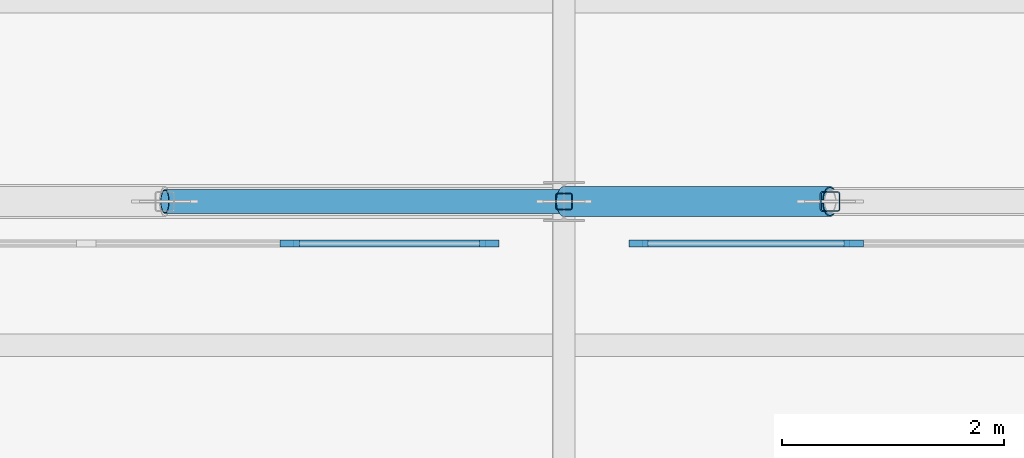
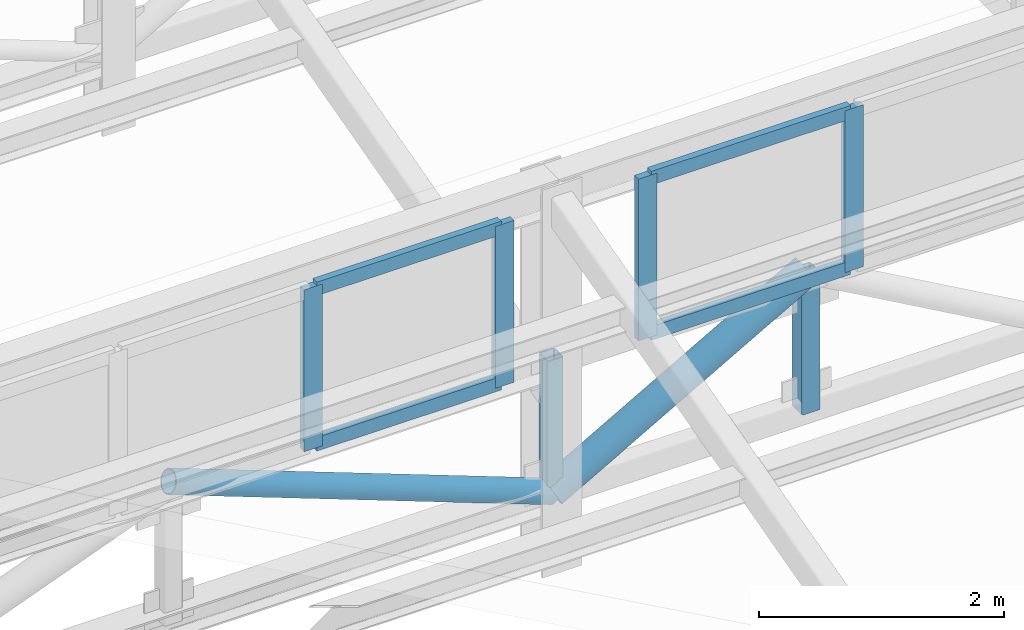
# One storey, part 12 of 98: 12 members, 2 elements without a shape of their own.
"""IFC4 building model written with IfcOpenShell, lengths in metres."""

from ifc_helpers import new_model, si_unit, direction, frame, origin, origin_2d, place, context, subcontext, project, spatial, rectangle, hollow_rectangle, hollow_circle, extrude, material, layer, layer_set, material_profile, profile_set, type_object, element, aggregate, save


model = new_model("IFC4")

# Units and contexts
model_context = context("Model", 3, precision=1e-05, world=origin(), true_north=direction((0.0, 1.0)))
body_context = subcontext(model_context, "Body", "Model", "MODEL_VIEW")
ifc_project = project(units=[si_unit("LENGTHUNIT", "METRE"), si_unit("AREAUNIT", "SQUARE_METRE"), si_unit("VOLUMEUNIT", "CUBIC_METRE"), si_unit("PLANEANGLEUNIT", "RADIAN"), si_unit("MASSUNIT", "GRAM", prefix="KILO")], contexts=[model_context])

# Site, building, storey
site_placement = place(None, origin())
site = spatial("IfcSite", under=ifc_project, at=site_placement, CompositionType="ELEMENT")
building_placement = place(site_placement, origin())
building = spatial("IfcBuilding", under=site, at=building_placement, Name="Solenvale Faculty of Natural Sciences", CompositionType="ELEMENT")
storey_placement = place(building_placement, frame((0.0, 0.0, 9.0)))
storey = spatial("IfcBuildingStorey", under=building, at=storey_placement, Name="L02", CompositionType="ELEMENT", Elevation=9.0)

# Curtain wall, members
ifc_material_1 = material(Name="Anodised bronze aluminium", Category="aluminium")
ifc_layer = layer(ifc_material_1, 0.1650390625)
ifc_layer_set = layer_set([ifc_layer], Name="Anodised bronze aluminium")
curtain_wall_type = type_object("IfcCurtainWallType", Name="CW-SAW-CLR", PredefinedType="USERDEFINED", material=ifc_layer_set)
curtain_wall_1_placement = place(storey_placement, origin())
curtain_wall_1 = element("IfcCurtainWall", 1, at=curtain_wall_1_placement, inside=storey, type_object=curtain_wall_type, Name="L02 Curtain Wall SAW-V1-CW-2-1", ObjectType="NORTH LIGHT CLERESTORY", PredefinedType="USERDEFINED")
ifc_material_profile_1 = material_profile(ifc_material_1, rectangle(XDim=0.06494140625, YDim=0.175048828125, at=origin_2d()), Name="ALU-MUL-65x175")
ifc_profile_set_1 = profile_set([ifc_material_profile_1], Name="Anodised bronze aluminium")
member_type_1 = type_object("IfcMemberType", Name="CWM-ALU-65x175", PredefinedType="MULLION", material=ifc_profile_set_1)
member_1_placement = place(storey_placement, frame((28.12744140625, 14.02001953125, 2.22998046875), z_axis=(0.0, 0.0, 1.0), x_axis=(0.0, -1.0, 0.0)))
member_1 = element("IfcMember", 2, at=member_1_placement, type_object=member_type_1, Name="CW-05 mullion 1", PredefinedType="MULLION", context=body_context, shape_type="SweptSolid", body=[
    extrude(rectangle(XDim=0.06494140625, YDim=0.175048828125, at=origin_2d()), origin(), (0.0, 0.0, 1.0), 1.610107421875),
])
member_2_placement = place(storey_placement, frame((26.325439453125, 14.02001953125, 2.22998046875), z_axis=(0.0, 0.0, 1.0), x_axis=(0.0, -1.0, 0.0)))
member_2 = element("IfcMember", 3, at=member_2_placement, type_object=member_type_1, Name="CW-05 mullion 2", PredefinedType="MULLION", context=body_context, shape_type="SweptSolid", body=[
    extrude(rectangle(XDim=0.06494140625, YDim=0.175048828125, at=origin_2d()), origin(), (0.0, 0.0, 1.0), 1.610107421875),
])

curtain_wall_2_placement = place(storey_placement, origin())
curtain_wall_2 = element("IfcCurtainWall", 4, at=curtain_wall_2_placement, inside=storey, type_object=curtain_wall_type, Name="L02 Curtain Wall SAW-V1-CW-2-2", ObjectType="NORTH LIGHT CLERESTORY", PredefinedType="USERDEFINED")
member_3_placement = place(storey_placement, frame((31.413330078125, 14.02001953125, 2.22998046875), z_axis=(0.0, 0.0, 1.0), x_axis=(0.0, -1.0, 0.0)))
member_3 = element("IfcMember", 5, at=member_3_placement, type_object=member_type_1, Name="CW-05 mullion 3", PredefinedType="MULLION", context=body_context, shape_type="SweptSolid", body=[
    extrude(rectangle(XDim=0.06494140625, YDim=0.175048828125, at=origin_2d()), origin(), (0.0, 0.0, 1.0), 1.610107421875),
])
member_4_placement = place(storey_placement, frame((29.472412109375, 14.02001953125, 2.22998046875), z_axis=(0.0, 0.0, 1.0), x_axis=(0.0, -1.0, 0.0)))
member_4 = element("IfcMember", 6, at=member_4_placement, type_object=member_type_1, Name="CW-05 mullion 4", PredefinedType="MULLION", context=body_context, shape_type="SweptSolid", body=[
    extrude(rectangle(XDim=0.06494140625, YDim=0.175048828125, at=origin_2d()), origin(), (0.0, 0.0, 1.0), 1.610107421875),
])

# Member
ifc_material_profile_2 = material_profile(ifc_material_1, rectangle(XDim=0.06494140625, YDim=0.135009765625, at=origin_2d()), Name="ALU-TRN-65x135")
ifc_profile_set_2 = profile_set([ifc_material_profile_2], Name="Anodised bronze aluminium")
member_type_2 = type_object("IfcMemberType", Name="CWT-ALU-65x135", PredefinedType="USERDEFINED", material=ifc_profile_set_2)
member_5_placement = place(storey_placement, frame((28.094970703125, 14.02001953125, 2.262451171875), z_axis=(-1.0, 0.0, 0.0), x_axis=(0.0, -1.0, 0.0)))
member_5 = element("IfcMember", 7, at=member_5_placement, type_object=member_type_2, Name="CW-05 transom 1.1", ObjectType="TRANSOM", PredefinedType="USERDEFINED", context=body_context, shape_type="SweptSolid", body=[
    extrude(rectangle(XDim=0.06494140625, YDim=0.135009765625, at=origin_2d()), origin(), (0.0, 0.0, 1.0), 1.737060546875),
])

member_6_placement = place(storey_placement, frame((28.094970703125, 14.02001953125, 3.8076171875), z_axis=(-1.0, 0.0, 0.0), x_axis=(0.0, -1.0, 0.0)))
member_6 = element("IfcMember", 8, at=member_6_placement, type_object=member_type_2, Name="CW-05 transom 1.2", ObjectType="TRANSOM", PredefinedType="USERDEFINED", context=body_context, shape_type="SweptSolid", body=[
    extrude(rectangle(XDim=0.06494140625, YDim=0.135009765625, at=origin_2d()), origin(), (0.0, 0.0, 1.0), 1.737060546875),
])

aggregate(curtain_wall_1, [member_1, member_2, member_5, member_6])

member_7_placement = place(storey_placement, frame((31.380859375, 14.02001953125, 2.262451171875), z_axis=(-1.0, 0.0, 0.0), x_axis=(0.0, -1.0, 0.0)))
member_7 = element("IfcMember", 9, at=member_7_placement, type_object=member_type_2, Name="CW-05 transom 3.1", ObjectType="TRANSOM", PredefinedType="USERDEFINED", context=body_context, shape_type="SweptSolid", body=[
    extrude(rectangle(XDim=0.06494140625, YDim=0.135009765625, at=origin_2d()), origin(), (0.0, 0.0, 1.0), 1.8759765625),
])

member_8_placement = place(storey_placement, frame((31.380859375, 14.02001953125, 3.8076171875), z_axis=(-1.0, 0.0, 0.0), x_axis=(0.0, -1.0, 0.0)))
member_8 = element("IfcMember", 10, at=member_8_placement, type_object=member_type_2, Name="CW-05 transom 3.2", ObjectType="TRANSOM", PredefinedType="USERDEFINED", context=body_context, shape_type="SweptSolid", body=[
    extrude(rectangle(XDim=0.06494140625, YDim=0.135009765625, at=origin_2d()), origin(), (0.0, 0.0, 1.0), 1.8759765625),
])

aggregate(curtain_wall_2, [member_3, member_4, member_7, member_8])

# Members
ifc_material_2 = material(Name="Steel S355", Category="steel")
ifc_material_profile_3 = material_profile(ifc_material_2, hollow_circle(Radius=0.109619140625, WallThickness=0.009521484375, at=origin_2d()), Name="HSS219x9.5")
ifc_profile_set_3 = profile_set([ifc_material_profile_3], Name="Steel S355")
member_type_3 = type_object("IfcMemberType", Name="MB-BRC-CHS219", PredefinedType="BRACE", material=ifc_profile_set_3)
member_9_placement = place(storey_placement, frame((25.199951171875, 14.39990234375, 2.050048828125), z_axis=(0.935466034784, 0.0, -0.353416606522), x_axis=(0.0, 1.0, 0.0)))
element("IfcMember", 11, at=member_9_placement, inside=storey, type_object=member_type_3, Name="V1 Truss 2.1 Diagonal 8", PredefinedType="BRACE", context=body_context, shape_type="SweptSolid", body=[
    extrude(hollow_circle(Radius=0.109619140625, WallThickness=0.009521484375, at=origin_2d()), origin(), (0.0, 0.0, 1.0), 3.848388671875),
])
ifc_material_profile_4 = material_profile(ifc_material_2, hollow_circle(Radius=0.136474609375, WallThickness=0.010986328125, at=origin_2d()), Name="HSS273x11")
ifc_profile_set_4 = profile_set([ifc_material_profile_4], Name="Steel S355")
member_type_4 = type_object("IfcMemberType", Name="MB-BRC-CHS273", PredefinedType="BRACE", material=ifc_profile_set_4)
member_10_placement = place(storey_placement, frame((28.800048828125, 14.39990234375, 0.68994140625), z_axis=(0.869996876503, 0.0, 0.493057232859), x_axis=(0.0, 1.0, 0.0)))
element("IfcMember", 12, at=member_10_placement, inside=storey, type_object=member_type_4, Name="V1 Truss 2.2 Diagonal 1", PredefinedType="BRACE", context=body_context, shape_type="SweptSolid", body=[
    extrude(hollow_circle(Radius=0.136474609375, WallThickness=0.010986328125, at=origin_2d()), origin(), (0.0, 0.0, 1.0), 2.758544921875),
])
ifc_material_profile_5 = material_profile(ifc_material_2, hollow_rectangle(XDim=0.152099609375, YDim=0.152099609375, WallThickness=0.009521484375, InnerFilletRadius=0.009521484375, OuterFilletRadius=0.01904296875, at=origin_2d()), Name="HSS152x152x9.5")
ifc_profile_set_5 = profile_set([ifc_material_profile_5], Name="Steel S355")
member_type_5 = type_object("IfcMemberType", Name="MB-STR-HSS152", PredefinedType="STRUT", material=ifc_profile_set_5)
member_11_placement = place(storey_placement, frame((28.800048828125, 14.39990234375, 0.68994140625), z_axis=(0.0, 0.0, 1.0), x_axis=(1.0, 0.0, 0.0)))
element("IfcMember", 13, at=member_11_placement, inside=storey, type_object=member_type_5, Name="V1 Truss 2.1 Strut 8", PredefinedType="STRUT", context=body_context, shape_type="SweptSolid", body=[
    extrude(hollow_rectangle(XDim=0.152099609375, YDim=0.152099609375, WallThickness=0.009521484375, InnerFilletRadius=0.009521484375, OuterFilletRadius=0.01904296875, at=origin_2d()), origin(), (0.0, 0.0, 1.0), 1.360107421875),
])
ifc_material_profile_6 = material_profile(ifc_material_2, hollow_rectangle(XDim=0.177978515625, YDim=0.177978515625, WallThickness=0.009521484375, InnerFilletRadius=0.009521484375, OuterFilletRadius=0.01904296875, at=origin_2d()), Name="HSS178x178x9.5")
ifc_profile_set_6 = profile_set([ifc_material_profile_6], Name="Steel S355")
member_type_6 = type_object("IfcMemberType", Name="MB-STR-HSS178", PredefinedType="STRUT", material=ifc_profile_set_6)
member_12_placement = place(storey_placement, frame((31.199951171875, 14.39990234375, 0.68994140625), z_axis=(0.0, 0.0, 1.0), x_axis=(1.0, 0.0, 0.0)))
element("IfcMember", 14, at=member_12_placement, inside=storey, type_object=member_type_6, Name="V1 Truss 2.2 Strut 1", PredefinedType="STRUT", context=body_context, shape_type="SweptSolid", body=[
    extrude(hollow_rectangle(XDim=0.177978515625, YDim=0.177978515625, WallThickness=0.009521484375, InnerFilletRadius=0.009521484375, OuterFilletRadius=0.01904296875, at=origin_2d()), origin(), (0.0, 0.0, 1.0), 1.360107421875),
])

save(model, "model.ifc")
